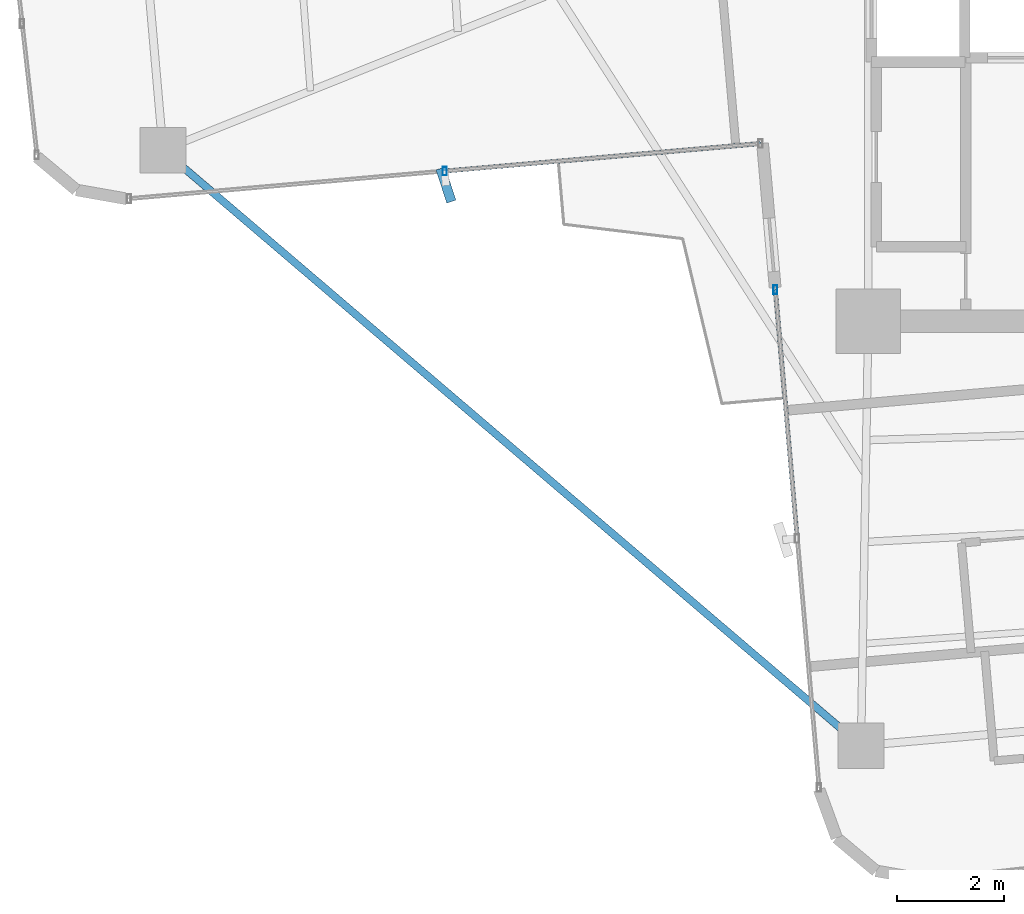
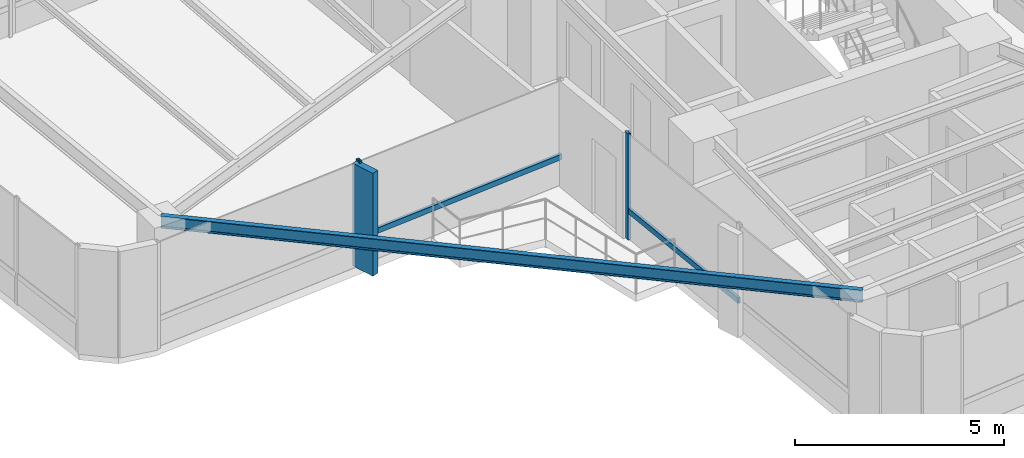
# One storey, part 4 of 24: 5 members, 1 beam, 2 elements without a shape of their own.
"""IFC4 building model written with IfcOpenShell, lengths in metres."""

from ifc_helpers import new_model, si_unit, direction, frame, origin, origin_2d, place, context, subcontext, project, spatial, rectangle, hollow_rectangle, i_section, extrude, source, transform, mapped, material, material_profile, profile_set, type_object, element, aggregate, save


model = new_model("IFC4")

# Units and contexts
model_context = context("Model", 3, precision=1e-05, world=origin(), true_north=direction((0.0, 1.0)))
body_context = subcontext(model_context, "Body", "Model", "MODEL_VIEW")
ifc_project = project(units=[si_unit("LENGTHUNIT", "METRE"), si_unit("AREAUNIT", "SQUARE_METRE"), si_unit("VOLUMEUNIT", "CUBIC_METRE"), si_unit("PLANEANGLEUNIT", "RADIAN"), si_unit("MASSUNIT", "GRAM", prefix="KILO")], contexts=[model_context])

# Site, building, storey
site_placement = place(None, origin())
site = spatial("IfcSite", under=ifc_project, at=site_placement, CompositionType="ELEMENT")
building_placement = place(site_placement, origin())
building = spatial("IfcBuilding", under=site, at=building_placement, Name="Sahyath Konkavel Grand Hotel", CompositionType="ELEMENT")
storey_placement = place(building_placement, frame((0.0, 0.0, 188.60009765625)))
storey = spatial("IfcBuildingStorey", under=building, at=storey_placement, Name="L52", CompositionType="ELEMENT", Elevation=188.60009765625)

# Beam
ifc_material_1 = material(Name="Steel E350", Category="steel")
ifc_material_profile_1 = material_profile(ifc_material_1, i_section(OverallWidth=0.139892578125, OverallDepth=0.35009765625, WebThickness=0.008056640625, FlangeThickness=0.01416015625, FilletRadius=0.013916015625, at=origin_2d()), Name="ISMB 350")
ifc_profile_set_1 = profile_set([ifc_material_profile_1], Name="Steel E350")
beam_type = type_object("IfcBeamType", Name="BM-ISMB350", PredefinedType="BEAM", material=ifc_profile_set_1)
shared_shape_1 = source(origin(), body_context, "Body", "SweptSolid", [
    extrude(i_section(OverallWidth=0.139892578125, OverallDepth=0.35009765625, WebThickness=0.008056640625, FlangeThickness=0.01416015625, FilletRadius=0.013916015625, at=origin_2d()), origin(), (0.0, 0.0, 1.0), 17.11279296875),
])
beam_placement = place(storey_placement, frame((-16.9541015625, -7.00439453125, 2.934814453125), z_axis=(0.760711911164, -0.649089661151, 0.0), x_axis=(0.649089661151, 0.760711911164, 0.0)))
element("IfcBeam", 1, at=beam_placement, inside=storey, type_object=beam_type, Name="L52 Re-Entrant Tie Beam SW", PredefinedType="BEAM", context=body_context, shape_type="MappedRepresentation", body=[
    mapped(shared_shape_1, transform((0.0, 0.0, 0.0), scale=1.0)),
])

# Curtain wall, member
ifc_material_2 = material(Name="Anodised Bronze Aluminium & Low-E Glazing", Category="aluminium")
curtain_wall_type = type_object("IfcCurtainWallType", Name="CW-ZONE3", PredefinedType="NOTDEFINED", material=ifc_material_2)
curtain_wall_1_placement = place(storey_placement, origin())
curtain_wall_1 = element("IfcCurtainWall", 2, at=curtain_wall_1_placement, inside=storey, type_object=curtain_wall_type, Name="L52 Unitised Curtain Wall F23", PredefinedType="NOTDEFINED")
ifc_material_3 = material(Name="Anodised Bronze Aluminium", Category="aluminium")
ifc_material_profile_2 = material_profile(ifc_material_3, hollow_rectangle(XDim=0.080078125, YDim=0.159912109375, WallThickness=0.006103515625, at=origin_2d()), Name="RHS 160x80x6")
ifc_profile_set_2 = profile_set([ifc_material_profile_2], Name="Anodised Bronze Aluminium")
member_type_1 = type_object("IfcMemberType", Name="CW-MUL-160", PredefinedType="MULLION", material=ifc_profile_set_2)
shared_shape_2 = source(origin(), body_context, "Body", "SweptSolid", [
    extrude(hollow_rectangle(XDim=0.080078125, YDim=0.159912109375, WallThickness=0.006103515625, at=origin_2d()), origin(), (0.0, 0.0, 1.0), 3.10986328125),
])
member_1_placement = place(storey_placement, frame((-11.69970703125, -7.39794921875, 0.0), z_axis=(0.0, 0.0, 1.0), x_axis=(1.0, 0.0, 0.0)))
member_1 = element("IfcMember", 3, at=member_1_placement, type_object=member_type_1, Name="L52 Curtain Wall Mullion F23-1", PredefinedType="MULLION", context=body_context, shape_type="MappedRepresentation", body=[
    mapped(shared_shape_2, transform((0.0, 0.0, 0.0), scale=1.0)),
])

curtain_wall_2_placement = place(storey_placement, origin())
curtain_wall_2 = element("IfcCurtainWall", 4, at=curtain_wall_2_placement, inside=storey, type_object=curtain_wall_type, Name="L52 Unitised Curtain Wall F24", PredefinedType="NOTDEFINED")
member_2_placement = place(storey_placement, frame((-5.53369140625, -9.60888671875, 0.0), z_axis=(0.0, 0.0, 1.0), x_axis=(1.0, 0.0, 0.0)))
member_2 = element("IfcMember", 5, at=member_2_placement, type_object=member_type_1, Name="L52 Curtain Wall Mullion F24-0", PredefinedType="MULLION", context=body_context, shape_type="MappedRepresentation", body=[
    mapped(shared_shape_2, transform((0.0, 0.0, 0.0), scale=1.0)),
])

# Member
ifc_material_4 = material(Name="Warm Buff Sandstone Cladding on Concrete C50/60", Category="masonry")
ifc_material_profile_3 = material_profile(ifc_material_4, rectangle(XDim=0.179931640625, YDim=0.64990234375, at=origin_2d()), Name="FIN 180x650")
ifc_profile_set_3 = profile_set([ifc_material_profile_3], Name="Warm Buff Sandstone Cladding on Concrete C50/60")
member_type_2 = type_object("IfcMemberType", Name="FIN-SANDSTONE-650", PredefinedType="MULLION", material=ifc_profile_set_3)
shared_shape_3 = source(origin(), body_context, "Body", "SweptSolid", [
    extrude(rectangle(XDim=0.179931640625, YDim=0.64990234375, at=origin_2d()), origin(), (0.0, 0.0, 1.0), 3.010009765625),
])
member_3_placement = place(storey_placement, frame((-11.677001953125, -7.656982421875, 0.0498046875), z_axis=(0.0, 0.0, 1.0), x_axis=(0.951164325631, 0.308684994204, 0.0)))
member_3 = element("IfcMember", 6, at=member_3_placement, type_object=member_type_2, Name="L52 Sandstone Vertical Solar Fin FIN F23-1", PredefinedType="MULLION", context=body_context, shape_type="MappedRepresentation", body=[
    mapped(shared_shape_3, transform((0.0, 0.0, 0.0), scale=1.0)),
])

ifc_material_profile_4 = material_profile(ifc_material_3, hollow_rectangle(XDim=0.080078125, YDim=0.159912109375, WallThickness=0.006103515625, at=origin_2d()), Name="RHS 160x80x6")
ifc_profile_set_4 = profile_set([ifc_material_profile_4], Name="Anodised Bronze Aluminium")
member_type_3 = type_object("IfcMemberType", Name="CW-TRN-160", PredefinedType="USERDEFINED", material=ifc_profile_set_4)
shared_shape_4 = source(origin(), body_context, "Body", "SweptSolid", [
    extrude(hollow_rectangle(XDim=0.080078125, YDim=0.159912109375, WallThickness=0.006103515625, at=origin_2d()), origin(), (0.0, 0.0, 1.0), 5.909912109375),
])
member_4_placement = place(storey_placement, frame((-11.69970703125, -7.39794921875, 0.849853515625), z_axis=(0.996193941691, 0.087164388014, 0.0), x_axis=(-0.087164388014, 0.996193941691, 0.0)))
member_4 = element("IfcMember", 7, at=member_4_placement, type_object=member_type_3, Name="L52 Curtain Wall Transom F23-1-spandrel", ObjectType="TRANSOM", PredefinedType="USERDEFINED", context=body_context, shape_type="MappedRepresentation", body=[
    mapped(shared_shape_4, transform((0.0, 0.0, 0.0), scale=1.0)),
])

aggregate(curtain_wall_1, [member_1, member_3, member_4])

shared_shape_5 = source(origin(), body_context, "Body", "SweptSolid", [
    extrude(hollow_rectangle(XDim=0.080078125, YDim=0.159912109375, WallThickness=0.006103515625, at=origin_2d()), origin(), (0.0, 0.0, 1.0), 4.66015625),
])
member_5_placement = place(storey_placement, frame((-5.53369140625, -9.60888671875, 0.849853515625), z_axis=(0.087176698736, -0.996192864458, 0.0), x_axis=(0.996192864458, 0.087176698736, 0.0)))
member_5 = element("IfcMember", 8, at=member_5_placement, type_object=member_type_3, Name="L52 Curtain Wall Transom F24-0-spandrel", ObjectType="TRANSOM", PredefinedType="USERDEFINED", context=body_context, shape_type="MappedRepresentation", body=[
    mapped(shared_shape_5, transform((0.0, 0.0, 0.0), scale=1.0)),
])

aggregate(curtain_wall_2, [member_2, member_5])

save(model, "model.ifc")
